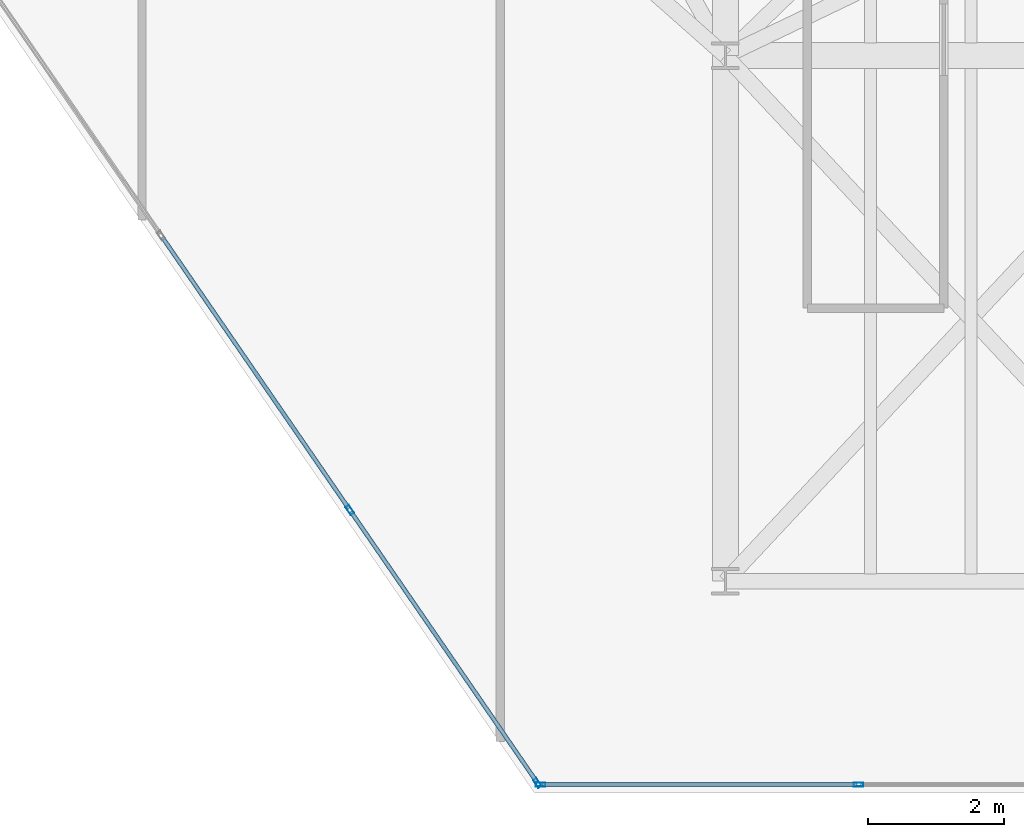
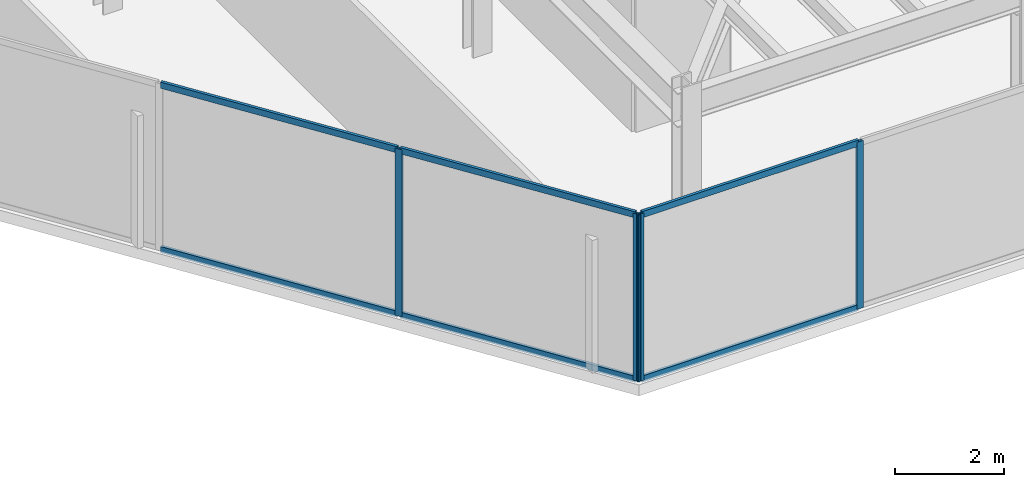
# One storey, part 16 of 27: 10 members, 2 elements without a shape of their own.
"""IFC4 building model written with IfcOpenShell, lengths in metres."""

from ifc_helpers import new_model, si_unit, direction, frame, origin, origin_2d, place, context, subcontext, project, spatial, hollow_rectangle, extrude, material, layer, layer_set, material_profile, profile_set, type_object, element, aggregate, save


model = new_model("IFC4")

# Units and contexts
model_context = context("Model", 3, precision=1e-05, world=origin(), true_north=direction((0.0, 1.0)))
body_context = subcontext(model_context, "Body", "Model", "MODEL_VIEW")
ifc_project = project(units=[si_unit("LENGTHUNIT", "METRE"), si_unit("AREAUNIT", "SQUARE_METRE"), si_unit("VOLUMEUNIT", "CUBIC_METRE"), si_unit("PLANEANGLEUNIT", "RADIAN"), si_unit("MASSUNIT", "GRAM", prefix="KILO")], contexts=[model_context])

# Site, building, storey
site_placement = place(None, origin())
site = spatial("IfcSite", under=ifc_project, at=site_placement, CompositionType="ELEMENT")
building_placement = place(site_placement, origin())
building = spatial("IfcBuilding", under=site, at=building_placement, Name="Kravanh Interchange Tower", CompositionType="ELEMENT")
storey_placement = place(building_placement, frame((0.0, 0.0, 196.5)))
storey = spatial("IfcBuildingStorey", under=building, at=storey_placement, Name="L47", CompositionType="ELEMENT", Elevation=196.5)

# Curtain wall, members
ifc_material_1 = material(Name="Anodised Bronze Aluminium", Category="aluminium")
ifc_layer = layer(ifc_material_1, 0.179931640625)
ifc_layer_set = layer_set([ifc_layer], Name="Unitised Curtain Wall System CW-Z3 Upper Office")
curtain_wall_type = type_object("IfcCurtainWallType", Name="Unitised Curtain Wall System CW-Z3 Upper Office", PredefinedType="NOTDEFINED", material=ifc_layer_set)
curtain_wall_1_placement = place(storey_placement, origin())
curtain_wall_1 = element("IfcCurtainWall", 1, at=curtain_wall_1_placement, inside=storey, type_object=curtain_wall_type, Name="L47 Unitised Curtain Wall CW-L47-03", PredefinedType="NOTDEFINED")
ifc_material_2 = material(Name="Anodised Bronze Aluminium", Category="aluminium")
ifc_material_profile_1 = material_profile(ifc_material_2, hollow_rectangle(XDim=0.06005859375, YDim=0.139892578125, WallThickness=0.00390625, at=origin_2d()), Name="ALU60X140X4")
ifc_profile_set_1 = profile_set([ifc_material_profile_1], Name="Anodised Bronze Aluminium")
member_type_1 = type_object("IfcMemberType", Name="Curtain Wall Mullion ALU60X140X4 Bronze", PredefinedType="MULLION", material=ifc_profile_set_1)
member_1_placement = place(storey_placement, frame((57.9521484375, 11.52001953125, 0.0), z_axis=(0.0, 0.0, 1.0), x_axis=(0.0, -1.0, 0.0)))
member_1 = element("IfcMember", 2, at=member_1_placement, type_object=member_type_1, Name="CW-Z3 mullion 2", PredefinedType="MULLION", context=body_context, shape_type="SweptSolid", body=[
    extrude(hollow_rectangle(XDim=0.06005859375, YDim=0.139892578125, WallThickness=0.00390625, at=origin_2d()), origin(), (0.0, 0.0, 1.0), 3.7548828125),
])
member_2_placement = place(storey_placement, frame((53.293212890625, 11.52001953125, 0.0), z_axis=(0.0, 0.0, 1.0), x_axis=(0.0, -1.0, 0.0)))
member_2 = element("IfcMember", 3, at=member_2_placement, type_object=member_type_1, Name="CW-Z3 mullion 3", PredefinedType="MULLION", context=body_context, shape_type="SweptSolid", body=[
    extrude(hollow_rectangle(XDim=0.06005859375, YDim=0.139892578125, WallThickness=0.00390625, at=origin_2d()), origin(), (0.0, 0.0, 1.0), 3.7548828125),
])

curtain_wall_2_placement = place(storey_placement, origin())
curtain_wall_2 = element("IfcCurtainWall", 4, at=curtain_wall_2_placement, inside=storey, type_object=curtain_wall_type, Name="L47 Unitised Curtain Wall CW-L47-04", PredefinedType="NOTDEFINED")
member_3_placement = place(storey_placement, frame((53.24609375, 11.544677734375, 0.0), z_axis=(0.0, 0.0, 1.0), x_axis=(-0.824042223035, -0.566528388217, 0.0)))
member_3 = element("IfcMember", 5, at=member_3_placement, type_object=member_type_1, Name="CW-Z3 mullion 1", PredefinedType="MULLION", context=body_context, shape_type="SweptSolid", body=[
    extrude(hollow_rectangle(XDim=0.06005859375, YDim=0.139892578125, WallThickness=0.00390625, at=origin_2d()), origin(), (0.0, 0.0, 1.0), 3.7548828125),
])
member_4_placement = place(storey_placement, frame((50.497314453125, 15.54296875, 0.0), z_axis=(0.0, 0.0, 1.0), x_axis=(-0.824042223035, -0.566528388217, 0.0)))
member_4 = element("IfcMember", 6, at=member_4_placement, type_object=member_type_1, Name="CW-Z3 mullion 2", PredefinedType="MULLION", context=body_context, shape_type="SweptSolid", body=[
    extrude(hollow_rectangle(XDim=0.06005859375, YDim=0.139892578125, WallThickness=0.00390625, at=origin_2d()), origin(), (0.0, 0.0, 1.0), 3.7548828125),
])

# Member
ifc_material_3 = material(Name="Anodised Bronze Aluminium", Category="aluminium")
ifc_material_profile_2 = material_profile(ifc_material_3, hollow_rectangle(XDim=0.06005859375, YDim=0.139892578125, WallThickness=0.00390625, at=origin_2d()), Name="ALU60X140X4")
ifc_profile_set_2 = profile_set([ifc_material_profile_2], Name="Anodised Bronze Aluminium")
member_type_2 = type_object("IfcMemberType", Name="Curtain Wall Transom ALU60X140X4 Bronze", PredefinedType="USERDEFINED", material=ifc_profile_set_2)
member_5_placement = place(storey_placement, frame((57.922119140625, 11.52001953125, 0.030029296875), z_axis=(-1.0, 0.0, 0.0), x_axis=(0.0, -1.0, 0.0)))
member_5 = element("IfcMember", 7, at=member_5_placement, type_object=member_type_2, Name="CW-Z3 transom 2.1", ObjectType="TRANSOM", PredefinedType="USERDEFINED", context=body_context, shape_type="SweptSolid", body=[
    extrude(hollow_rectangle(XDim=0.06005859375, YDim=0.139892578125, WallThickness=0.00390625, at=origin_2d()), origin(), (0.0, 0.0, 1.0), 4.59912109375),
])

member_6_placement = place(storey_placement, frame((57.922119140625, 11.52001953125, 3.72509765625), z_axis=(-1.0, 0.0, 0.0), x_axis=(0.0, -1.0, 0.0)))
member_6 = element("IfcMember", 8, at=member_6_placement, type_object=member_type_2, Name="CW-Z3 transom 2.2", ObjectType="TRANSOM", PredefinedType="USERDEFINED", context=body_context, shape_type="SweptSolid", body=[
    extrude(hollow_rectangle(XDim=0.06005859375, YDim=0.139892578125, WallThickness=0.00390625, at=origin_2d()), origin(), (0.0, 0.0, 1.0), 4.59912109375),
])

aggregate(curtain_wall_1, [member_1, member_2, member_5, member_6])

member_7_placement = place(storey_placement, frame((53.22900390625, 11.5693359375, 0.030029296875), z_axis=(-0.566483415384, 0.824073140016, 0.0), x_axis=(-0.824073140016, -0.566483415384, 0.0)))
member_7 = element("IfcMember", 9, at=member_7_placement, type_object=member_type_2, Name="CW-Z3 transom 1.1", ObjectType="TRANSOM", PredefinedType="USERDEFINED", context=body_context, shape_type="SweptSolid", body=[
    extrude(hollow_rectangle(XDim=0.06005859375, YDim=0.139892578125, WallThickness=0.00390625, at=origin_2d()), origin(), (0.0, 0.0, 1.0), 4.7919921875),
])

member_8_placement = place(storey_placement, frame((53.22900390625, 11.5693359375, 3.72509765625), z_axis=(-0.566483415384, 0.824073140016, 0.0), x_axis=(-0.824073140016, -0.566483415384, 0.0)))
member_8 = element("IfcMember", 10, at=member_8_placement, type_object=member_type_2, Name="CW-Z3 transom 1.2", ObjectType="TRANSOM", PredefinedType="USERDEFINED", context=body_context, shape_type="SweptSolid", body=[
    extrude(hollow_rectangle(XDim=0.06005859375, YDim=0.139892578125, WallThickness=0.00390625, at=origin_2d()), origin(), (0.0, 0.0, 1.0), 4.7919921875),
])

member_9_placement = place(storey_placement, frame((50.480224609375, 15.567626953125, 0.030029296875), z_axis=(-0.566503037389, 0.824059651135, 0.0), x_axis=(-0.824059651135, -0.566503037389, 0.0)))
member_9 = element("IfcMember", 11, at=member_9_placement, type_object=member_type_2, Name="CW-Z3 transom 2.1", ObjectType="TRANSOM", PredefinedType="USERDEFINED", context=body_context, shape_type="SweptSolid", body=[
    extrude(hollow_rectangle(XDim=0.06005859375, YDim=0.139892578125, WallThickness=0.00390625, at=origin_2d()), origin(), (0.0, 0.0, 1.0), 4.822021484375),
])

member_10_placement = place(storey_placement, frame((50.480224609375, 15.567626953125, 3.72509765625), z_axis=(-0.566503037389, 0.824059651135, 0.0), x_axis=(-0.824059651135, -0.566503037389, 0.0)))
member_10 = element("IfcMember", 12, at=member_10_placement, type_object=member_type_2, Name="CW-Z3 transom 2.2", ObjectType="TRANSOM", PredefinedType="USERDEFINED", context=body_context, shape_type="SweptSolid", body=[
    extrude(hollow_rectangle(XDim=0.06005859375, YDim=0.139892578125, WallThickness=0.00390625, at=origin_2d()), origin(), (0.0, 0.0, 1.0), 4.822021484375),
])

aggregate(curtain_wall_2, [member_3, member_4, member_7, member_8, member_9, member_10])

save(model, "model.ifc")
